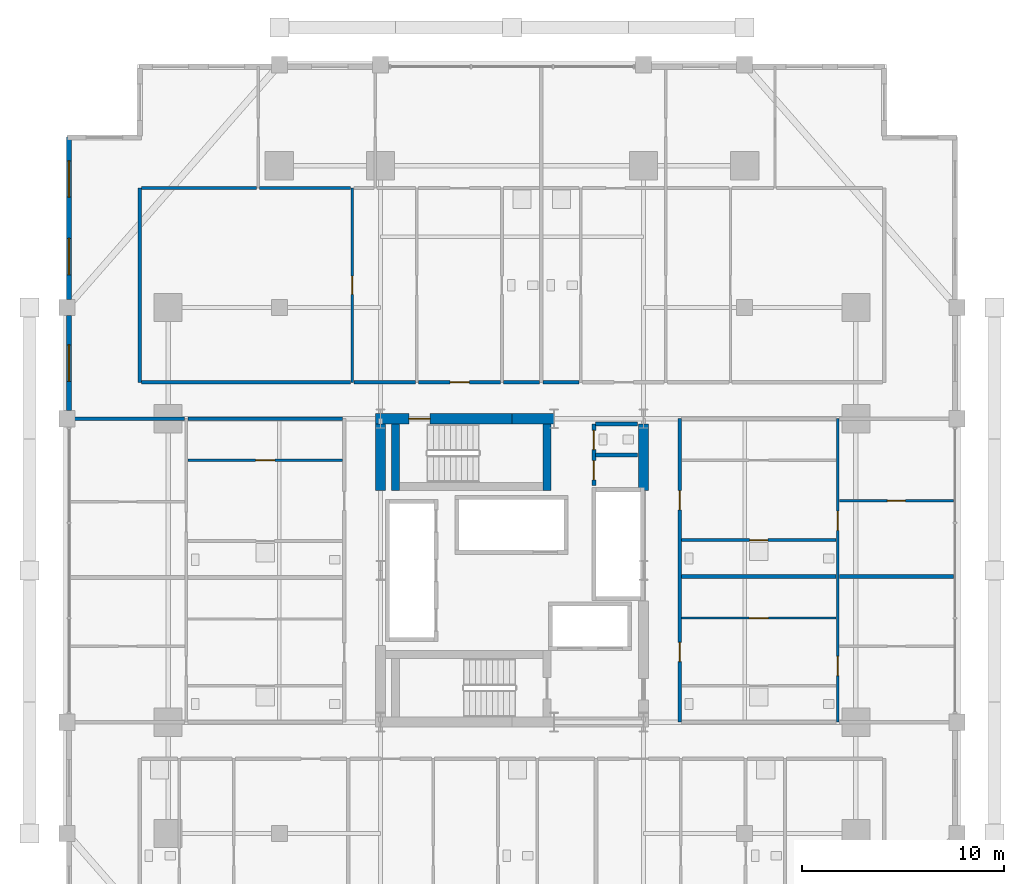
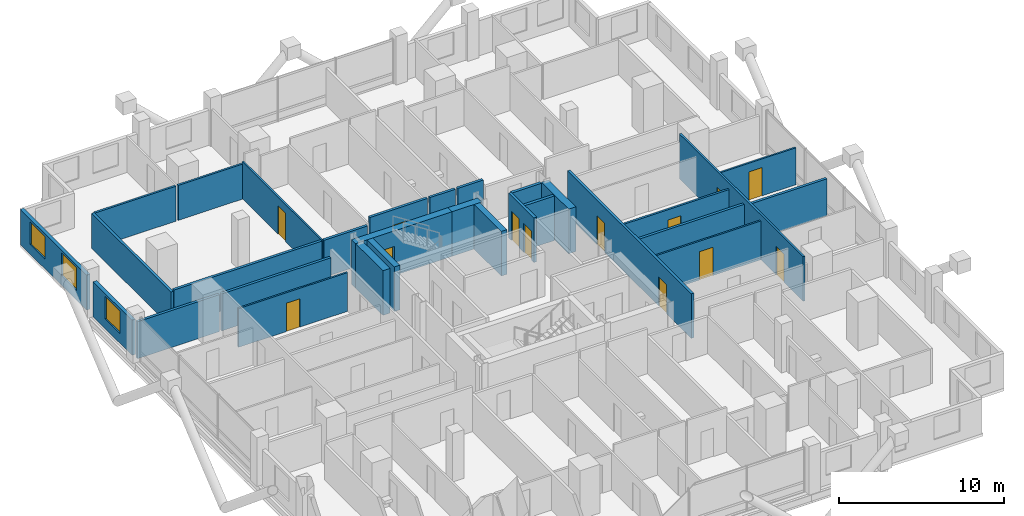
# One storey, part 20 of 24: 30 walls, 13 doors, 3 windows, 16 openings.
"""IFC4 building model written with IfcOpenShell, lengths in metres."""

from ifc_helpers import new_model, si_unit, direction, frame, frame_2d, origin, place, context, subcontext, project, spatial, rectangle, extrude, material, layer, layer_set, type_object, element, fill, save


model = new_model("IFC4")

# Units and contexts
model_context = context("Model", 3, precision=1e-05, world=origin(), true_north=direction((0.0, 1.0)))
body_context = subcontext(model_context, "Body", "Model", "MODEL_VIEW")
ifc_project = project(units=[si_unit("LENGTHUNIT", "METRE"), si_unit("AREAUNIT", "SQUARE_METRE"), si_unit("VOLUMEUNIT", "CUBIC_METRE"), si_unit("PLANEANGLEUNIT", "RADIAN"), si_unit("MASSUNIT", "GRAM", prefix="KILO")], contexts=[model_context])

# Site, building, storey
site_placement = place(None, origin())
site = spatial("IfcSite", under=ifc_project, at=site_placement, CompositionType="ELEMENT")
building_placement = place(site_placement, origin())
building = spatial("IfcBuilding", under=site, at=building_placement, Name="Barlavira Tower and Art Museum", CompositionType="ELEMENT")
storey_placement = place(building_placement, frame((0.0, 0.0, 90.0)))
storey = spatial("IfcBuildingStorey", under=building, at=storey_placement, Name="L22", CompositionType="ELEMENT", Elevation=90.0)

# Wall, opening, door
ifc_material_1 = material(Name="Gypsum acoustic stud partition", Category="gypsum")
ifc_layer_1 = layer(ifc_material_1, 0.1201171875, Name="Gypsum acoustic stud partition")
ifc_layer_set_1 = layer_set([ifc_layer_1], Name="Gypsum acoustic stud partition")
wall_type_1 = type_object("IfcWallType", Name="Apartment Internal Acoustic Partition 120", PredefinedType="PARTITIONING", material=ifc_layer_set_1)
wall_1_placement = place(storey_placement, frame((-7.89990234375, 9.300048828125, 0.0), z_axis=(0.0, 0.0, 1.0), x_axis=(0.0, 1.0, 0.0)))
wall_1 = element("IfcWall", 1, at=wall_1_placement, inside=storey, type_object=wall_type_1, Name="L22 Partition Wall 11", PredefinedType="PARTITIONING", context=body_context, shape_type="SweptSolid", body=[
    extrude(rectangle(XDim=9.599853515625, YDim=0.1201171875, at=frame_2d((4.7998046875, 0.0))), origin(), (0.0, 0.0, 1.0), 2.736083984375),
])
opening_1_placement = place(wall_1_placement, frame((4.35009765625, 0.0, 0.0)))
opening_1 = element("IfcOpeningElement", 2, at=opening_1_placement, cuts=wall_1, Name="Opening D-01", PredefinedType="OPENING", context=body_context, shape_type="SweptSolid", body=[
    extrude(rectangle(XDim=0.89990234375, YDim=2.10009765625, at=frame_2d((0.449951171875, 1.050048828125))), frame((0.0, 0.070068359375, 0.0), z_axis=(0.0, -1.0, 0.0), x_axis=(1.0, 0.0, 0.0)), (0.0, 0.0, 1.0), 0.14013671875),
])
ifc_material_2 = material(Name="Engineered coastal hardwood", Category="wood")
door_type_1 = type_object("IfcDoorType", Name="Internal Bedroom Timber Flush Door 900x2100", OperationType="NOTDEFINED", PredefinedType="DOOR", material=ifc_material_2)
door_1_placement = place(opening_1_placement, origin())
door_1 = element("IfcDoor", 3, at=door_1_placement, inside=storey, type_object=door_type_1, Name="Apartment N1 Walk-In Dressing Room Door", OperationType="SINGLE_SWING_LEFT", OverallHeight=2.10009765625, OverallWidth=0.89990234375, PredefinedType="DOOR", context=body_context, shape_type="SweptSolid", body=[
    extrude(rectangle(XDim=0.89990234375, YDim=2.10009765625, at=frame_2d((0.449951171875, 1.050048828125))), frame((0.0, 0.02490234375, 0.0), z_axis=(0.0, -1.0, 0.0), x_axis=(1.0, 0.0, 0.0)), (0.0, 0.0, 1.0), 0.050048828125),
])
fill(opening_1, door_1)

wall_2_placement = place(storey_placement, frame((8.3798828125, -2.35009765625, 0.0), z_axis=(0.0, 0.0, 1.0), x_axis=(1.0, 0.0, 0.0)))
wall_2 = element("IfcWall", 4, at=wall_2_placement, inside=storey, type_object=wall_type_1, Name="L22 Partition Wall 67", PredefinedType="PARTITIONING", context=body_context, shape_type="SweptSolid", body=[
    extrude(rectangle(XDim=7.64013671875, YDim=0.1201171875, at=frame_2d((3.820068359375, 0.0))), origin(), (0.0, 0.0, 1.0), 2.867919921875),
])
opening_2_placement = place(wall_2_placement, frame((3.344970703125, 0.0, 0.0)))
opening_2 = element("IfcOpeningElement", 5, at=opening_2_placement, cuts=wall_2, Name="Opening D-02", PredefinedType="OPENING", context=body_context, shape_type="SweptSolid", body=[
    extrude(rectangle(XDim=0.949951171875, YDim=2.10009765625, at=frame_2d((0.47509765625, 1.050048828125))), frame((0.0, 0.070068359375, 0.0), z_axis=(0.0, -1.0, 0.0), x_axis=(1.0, 0.0, 0.0)), (0.0, 0.0, 1.0), 0.14013671875),
])
door_type_2 = type_object("IfcDoorType", Name="Living and Salon Glazed-Leaf Door 950x2100", OperationType="NOTDEFINED", PredefinedType="DOOR", material=ifc_material_2)
door_2_placement = place(opening_2_placement, origin())
door_2 = element("IfcDoor", 6, at=door_2_placement, inside=storey, type_object=door_type_2, Name="Apartment E1 Kitchen Door", OperationType="SINGLE_SWING_RIGHT", OverallHeight=2.10009765625, OverallWidth=0.949951171875, PredefinedType="DOOR", context=body_context, shape_type="SweptSolid", body=[
    extrude(rectangle(XDim=0.949951171875, YDim=2.10009765625, at=frame_2d((0.47509765625, 1.050048828125))), frame((0.0, 0.02490234375, 0.0), z_axis=(0.0, -1.0, 0.0), x_axis=(1.0, 0.0, 0.0)), (0.0, 0.0, 1.0), 0.050048828125),
])
fill(opening_2, door_2)

wall_3_placement = place(storey_placement, frame((16.179931640625, 3.449951171875, 0.0), z_axis=(0.0, 0.0, 1.0), x_axis=(1.0, 0.0, 0.0)))
wall_3 = element("IfcWall", 7, at=wall_3_placement, inside=storey, type_object=wall_type_1, Name="L22 Partition Wall 75", PredefinedType="PARTITIONING", context=body_context, shape_type="SweptSolid", body=[
    extrude(rectangle(XDim=5.64013671875, YDim=0.1201171875, at=frame_2d((2.820068359375, 0.0))), origin(), (0.0, 0.0, 1.0), 2.736083984375),
])
opening_3_placement = place(wall_3_placement, frame((2.3701171875, 0.0, 0.0)))
opening_3 = element("IfcOpeningElement", 8, at=opening_3_placement, cuts=wall_3, Name="Opening D-01", PredefinedType="OPENING", context=body_context, shape_type="SweptSolid", body=[
    extrude(rectangle(XDim=0.89990234375, YDim=2.10009765625, at=frame_2d((0.449951171875, 1.050048828125))), frame((0.0, 0.070068359375, 0.0), z_axis=(0.0, -1.0, 0.0), x_axis=(1.0, 0.0, 0.0)), (0.0, 0.0, 1.0), 0.14013671875),
])
door_3_placement = place(opening_3_placement, origin())
door_3 = element("IfcDoor", 9, at=door_3_placement, inside=storey, type_object=door_type_1, Name="Apartment E2 Bedroom 1 Door", OperationType="SINGLE_SWING_LEFT", OverallHeight=2.10009765625, OverallWidth=0.89990234375, PredefinedType="DOOR", context=body_context, shape_type="SweptSolid", body=[
    extrude(rectangle(XDim=0.89990234375, YDim=2.10009765625, at=frame_2d((0.449951171875, 1.050048828125))), frame((0.0, 0.02490234375, 0.0), z_axis=(0.0, -1.0, 0.0), x_axis=(1.0, 0.0, 0.0)), (0.0, 0.0, 1.0), 0.050048828125),
])
fill(opening_3, door_3)

wall_4_placement = place(storey_placement, frame((-16.02001953125, 5.449951171875, 0.0), z_axis=(0.0, 0.0, 1.0), x_axis=(1.0, 0.0, 0.0)))
wall_4 = element("IfcWall", 10, at=wall_4_placement, inside=storey, type_object=wall_type_1, Name="L22 Partition Wall 76", PredefinedType="PARTITIONING", context=body_context, shape_type="SweptSolid", body=[
    extrude(rectangle(XDim=7.64013671875, YDim=0.1201171875, at=frame_2d((3.820068359375, 0.0))), origin(), (0.0, 0.0, 1.0), 2.867919921875),
])
opening_4_placement = place(wall_4_placement, frame((3.344970703125, 0.0, 0.0)))
opening_4 = element("IfcOpeningElement", 11, at=opening_4_placement, cuts=wall_4, Name="Opening D-02", PredefinedType="OPENING", context=body_context, shape_type="SweptSolid", body=[
    extrude(rectangle(XDim=0.949951171875, YDim=2.10009765625, at=frame_2d((0.47509765625, 1.050048828125))), frame((0.0, 0.070068359375, 0.0), z_axis=(0.0, -1.0, 0.0), x_axis=(1.0, 0.0, 0.0)), (0.0, 0.0, 1.0), 0.14013671875),
])
door_4_placement = place(opening_4_placement, origin())
door_4 = element("IfcDoor", 12, at=door_4_placement, inside=storey, type_object=door_type_2, Name="Apartment W2 Kitchen Door", OperationType="SINGLE_SWING_LEFT", OverallHeight=2.10009765625, OverallWidth=0.949951171875, PredefinedType="DOOR", context=body_context, shape_type="SweptSolid", body=[
    extrude(rectangle(XDim=0.949951171875, YDim=2.10009765625, at=frame_2d((0.47509765625, 1.050048828125))), frame((0.0, 0.02490234375, 0.0), z_axis=(0.0, -1.0, 0.0), x_axis=(1.0, 0.0, 0.0)), (0.0, 0.0, 1.0), 0.050048828125),
])
fill(opening_4, door_4)

ifc_material_3 = material(Name="Concrete C60", Category="concrete")
ifc_layer_2 = layer(ifc_material_3, 0.5, Name="Concrete C60")
ifc_layer_set_2 = layer_set([ifc_layer_2], Name="Concrete C60")
wall_type_2 = type_object("IfcWallType", Name="Core Structural Shear Wall 500 Concrete C60", PredefinedType="SHEAR", material=ifc_layer_set_2)
wall_5_placement = place(storey_placement, frame((-6.75, 7.5, 0.0), z_axis=(0.0, 0.0, 1.0), x_axis=(1.0, 0.0, 0.0)))
wall_5 = element("IfcWall", 13, at=wall_5_placement, inside=storey, type_object=wall_type_2, Name="L22 Core Shear Wall CS-NW", PredefinedType="SHEAR", context=body_context, shape_type="SweptSolid", body=[
    extrude(rectangle(XDim=6.75, YDim=0.5, at=frame_2d((3.375, 0.0))), origin(), (0.0, 0.0, 1.0), 3.300048828125),
])
opening_5_placement = place(wall_5_placement, frame((1.64990234375, 0.0, 0.0)))
opening_5 = element("IfcOpeningElement", 14, at=opening_5_placement, cuts=wall_5, Name="Opening FD-90", PredefinedType="OPENING", context=body_context, shape_type="SweptSolid", body=[
    extrude(rectangle(XDim=1.050048828125, YDim=2.14990234375, at=frame_2d((0.52490234375, 1.074951171875))), frame((0.0, 0.260009765625, 0.0), z_axis=(0.0, -1.0, 0.0), x_axis=(1.0, 0.0, 0.0)), (0.0, 0.0, 1.0), 0.52001953125),
])
ifc_material_4 = material(Name="Brushed stainless steel", Category="steel")
door_type_3 = type_object("IfcDoorType", Name="Stair and Refuge Fire Door 1050x2150 FD90S", OperationType="NOTDEFINED", PredefinedType="DOOR", material=ifc_material_4)
door_5_placement = place(opening_5_placement, origin())
door_5 = element("IfcDoor", 15, at=door_5_placement, inside=storey, type_object=door_type_3, Name="L22 Stair ST-T2 Fire Door", OperationType="SINGLE_SWING_LEFT", OverallHeight=2.14990234375, OverallWidth=1.050048828125, PredefinedType="DOOR", context=body_context, shape_type="SweptSolid", body=[
    extrude(rectangle(XDim=1.050048828125, YDim=2.14990234375, at=frame_2d((0.52490234375, 1.074951171875))), frame((0.0, 0.02490234375, 0.0), z_axis=(0.0, -1.0, 0.0), x_axis=(1.0, 0.0, 0.0)), (0.0, 0.0, 1.0), 0.050048828125),
])
fill(opening_5, door_5)

# Walls
wall_6_placement = place(storey_placement, frame((0.0, 7.5, 0.0), z_axis=(0.0, 0.0, 1.0), x_axis=(1.0, 0.0, 0.0)))
element("IfcWall", 16, at=wall_6_placement, inside=storey, type_object=wall_type_2, Name="L22 Core Shear Wall CS-EN", PredefinedType="SHEAR", context=body_context, shape_type="SweptSolid", body=[
    extrude(rectangle(XDim=2.080078125, YDim=0.5, at=frame_2d((1.0400390625, 0.0))), origin(), (0.0, 0.0, 1.0), 3.300048828125),
])
for number, where, z_axis, x_axis, name in (
    (17, (-6.5, 3.949951171875, 0.0), (0.0, 0.0, 1.0), (0.0, 1.0, 0.0), "L22 Core Shear Wall CS-W2"),
    (18, (6.5, 3.949951171875, 0.0), (0.0, 0.0, 1.0), (0.0, 1.0, 0.0), "L22 Core Shear Wall CS-E2"),
):
    element("IfcWall", number, at=place(storey_placement, frame(where, z_axis=z_axis, x_axis=x_axis)), inside=storey, type_object=wall_type_2, Name=name, PredefinedType="SHEAR", context=body_context, shape_type="SweptSolid", body=[
        extrude(rectangle(XDim=3.300048828125, YDim=0.5, at=frame_2d((1.64990234375, 0.0))), origin(), (0.0, 0.0, 1.0), 3.300048828125),
    ])

# Wall, openings, doors
ifc_material_5 = material(Name="Autoclaved aerated concrete masonry", Category="masonry")
ifc_layer_3 = layer(ifc_material_5, 0.199951171875, Name="Autoclaved aerated concrete masonry")
ifc_layer_set_3 = layer_set([ifc_layer_3], Name="Autoclaved aerated concrete masonry")
wall_type_3 = type_object("IfcWallType", Name="Fire Compartment and Shaft Wall 200", PredefinedType="SOLIDWALL", material=ifc_layer_set_3)
wall_7_placement = place(storey_placement, frame((4.050048828125, 4.199951171875, 0.0), z_axis=(0.0, 0.0, 1.0), x_axis=(0.0, 1.0, 0.0)))
wall_7 = element("IfcWall", 19, at=wall_7_placement, inside=storey, type_object=wall_type_3, Name="L22 Partition Wall 20", PredefinedType="SOLIDWALL", context=body_context, shape_type="SweptSolid", body=[
    extrude(rectangle(XDim=3.050048828125, YDim=0.199951171875, at=frame_2d((1.52490234375, 0.0))), origin(), (0.0, 0.0, 1.0), 3.300048828125),
])
opening_6_placement = place(wall_7_placement, frame((0.27490234375, 0.0, 0.0)))
opening_6 = element("IfcOpeningElement", 20, at=opening_6_placement, cuts=wall_7, Name="Opening FD-60", PredefinedType="OPENING", context=body_context, shape_type="SweptSolid", body=[
    extrude(rectangle(XDim=0.949951171875, YDim=2.14990234375, at=frame_2d((0.47509765625, 1.074951171875))), frame((0.0, 0.10986328125, 0.0), z_axis=(0.0, -1.0, 0.0), x_axis=(1.0, 0.0, 0.0)), (0.0, 0.0, 1.0), 0.219970703125),
])
opening_7_placement = place(wall_7_placement, frame((1.77490234375, 0.0, 0.0)))
opening_7 = element("IfcOpeningElement", 21, at=opening_7_placement, cuts=wall_7, Name="Opening FD-60", PredefinedType="OPENING", context=body_context, shape_type="SweptSolid", body=[
    extrude(rectangle(XDim=0.949951171875, YDim=2.14990234375, at=frame_2d((0.47509765625, 1.074951171875))), frame((0.0, 0.10986328125, 0.0), z_axis=(0.0, -1.0, 0.0), x_axis=(1.0, 0.0, 0.0)), (0.0, 0.0, 1.0), 0.219970703125),
])
door_type_4 = type_object("IfcDoorType", Name="Apartment Entrance and Riser Fire Door 950x2150 FD60S", OperationType="NOTDEFINED", PredefinedType="DOOR", material=ifc_material_4)
door_6_placement = place(opening_6_placement, origin())
door_6 = element("IfcDoor", 22, at=door_6_placement, inside=storey, type_object=door_type_4, Name="Electrical Switchgear Room Door", OperationType="SINGLE_SWING_RIGHT", OverallHeight=2.14990234375, OverallWidth=0.949951171875, PredefinedType="DOOR", context=body_context, shape_type="SweptSolid", body=[
    extrude(rectangle(XDim=0.949951171875, YDim=2.14990234375, at=frame_2d((0.47509765625, 1.074951171875))), frame((0.0, 0.02490234375, 0.0), z_axis=(0.0, -1.0, 0.0), x_axis=(1.0, 0.0, 0.0)), (0.0, 0.0, 1.0), 0.050048828125),
])
fill(opening_6, door_6)
door_7_placement = place(opening_7_placement, origin())
door_7 = element("IfcDoor", 23, at=door_7_placement, inside=storey, type_object=door_type_4, Name="Core Staff Toilet Door", OperationType="SINGLE_SWING_LEFT", OverallHeight=2.14990234375, OverallWidth=0.949951171875, PredefinedType="DOOR", context=body_context, shape_type="SweptSolid", body=[
    extrude(rectangle(XDim=0.949951171875, YDim=2.14990234375, at=frame_2d((0.47509765625, 1.074951171875))), frame((0.0, 0.02490234375, 0.0), z_axis=(0.0, -1.0, 0.0), x_axis=(1.0, 0.0, 0.0)), (0.0, 0.0, 1.0), 0.050048828125),
])
fill(opening_7, door_7)

# Walls
for number, where, z_axis, x_axis, name in (
    (24, (4.1298828125, 5.699951171875, 0.0), (0.0, 0.0, 1.0), (1.0, 0.0, 0.0), "L22 Partition Wall 78"),
    (25, (4.1298828125, 7.25, 0.0), (0.0, 0.0, 1.0), (1.0, 0.0, 0.0), "L22 Partition Wall 79"),
):
    element("IfcWall", number, at=place(storey_placement, frame(where, z_axis=z_axis, x_axis=x_axis)), inside=storey, type_object=wall_type_3, Name=name, PredefinedType="SOLIDWALL", context=body_context, shape_type="SweptSolid", body=[
        extrude(rectangle(XDim=2.070068359375, YDim=0.199951171875, at=frame_2d((1.03515625, 0.0))), origin(), (0.0, 0.0, 1.0), 3.300048828125),
    ])
ifc_layer_4 = layer(ifc_material_1, 0.179931640625, Name="Gypsum acoustic stud partition")
ifc_layer_set_4 = layer_set([ifc_layer_4], Name="Gypsum acoustic stud partition")
wall_type_4 = type_object("IfcWallType", Name="Inter-Tenancy Party Partition Wall 180", PredefinedType="PARTITIONING", material=ifc_layer_set_4)
wall_8_placement = place(storey_placement, frame((-18.39990234375, 9.300048828125, 0.0), z_axis=(0.0, 0.0, 1.0), x_axis=(0.0, 1.0, 0.0)))
element("IfcWall", 26, at=wall_8_placement, inside=storey, type_object=wall_type_4, Name="L22 Partition Wall 2", PredefinedType="PARTITIONING", context=body_context, shape_type="SweptSolid", body=[
    extrude(rectangle(XDim=9.599853515625, YDim=0.179931640625, at=frame_2d((4.7998046875, 0.0))), origin(), (0.0, 0.0, 1.0), 2.590087890625),
])

# Wall, openings, doors
wall_9_placement = place(storey_placement, frame((8.300048828125, -7.5, 0.0), z_axis=(0.0, 0.0, 1.0), x_axis=(0.0, 1.0, 0.0)))
wall_9 = element("IfcWall", 27, at=wall_9_placement, inside=storey, type_object=wall_type_4, Name="L22 Partition Wall 23", PredefinedType="PARTITIONING", context=body_context, shape_type="SweptSolid", body=[
    extrude(rectangle(XDim=15.0, YDim=0.179931640625, at=frame_2d((7.5, 0.0))), origin(), (0.0, 0.0, 1.0), 3.300048828125),
])
opening_8_placement = place(wall_9_placement, frame((2.9951171875, 0.0, 0.0)))
opening_8 = element("IfcOpeningElement", 28, at=opening_8_placement, cuts=wall_9, Name="Opening FD-60", PredefinedType="OPENING", context=body_context, shape_type="SweptSolid", body=[
    extrude(rectangle(XDim=0.949951171875, YDim=2.14990234375, at=frame_2d((0.47509765625, 1.074951171875))), frame((0.0, 0.10009765625, 0.0), z_axis=(0.0, -1.0, 0.0), x_axis=(1.0, 0.0, 0.0)), (0.0, 0.0, 1.0), 0.199951171875),
])
opening_9_placement = place(wall_9_placement, frame((10.4951171875, 0.0, 0.0)))
opening_9 = element("IfcOpeningElement", 29, at=opening_9_placement, cuts=wall_9, Name="Opening FD-60", PredefinedType="OPENING", context=body_context, shape_type="SweptSolid", body=[
    extrude(rectangle(XDim=0.949951171875, YDim=2.14990234375, at=frame_2d((0.47509765625, 1.074951171875))), frame((0.0, 0.10009765625, 0.0), z_axis=(0.0, -1.0, 0.0), x_axis=(1.0, 0.0, 0.0)), (0.0, 0.0, 1.0), 0.199951171875),
])
door_8_placement = place(opening_8_placement, origin())
door_8 = element("IfcDoor", 30, at=door_8_placement, inside=storey, type_object=door_type_4, Name="Apartment Entrance Hall E1 Door", OperationType="SINGLE_SWING_LEFT", OverallHeight=2.14990234375, OverallWidth=0.949951171875, PredefinedType="DOOR", context=body_context, shape_type="SweptSolid", body=[
    extrude(rectangle(XDim=0.949951171875, YDim=2.14990234375, at=frame_2d((0.47509765625, 1.074951171875))), frame((0.0, 0.02490234375, 0.0), z_axis=(0.0, -1.0, 0.0), x_axis=(1.0, 0.0, 0.0)), (0.0, 0.0, 1.0), 0.050048828125),
])
fill(opening_8, door_8)
door_9_placement = place(opening_9_placement, origin())
door_9 = element("IfcDoor", 31, at=door_9_placement, inside=storey, type_object=door_type_4, Name="Apartment Entrance Hall E2 Door", OperationType="SINGLE_SWING_RIGHT", OverallHeight=2.14990234375, OverallWidth=0.949951171875, PredefinedType="DOOR", context=body_context, shape_type="SweptSolid", body=[
    extrude(rectangle(XDim=0.949951171875, YDim=2.14990234375, at=frame_2d((0.47509765625, 1.074951171875))), frame((0.0, 0.02490234375, 0.0), z_axis=(0.0, -1.0, 0.0), x_axis=(1.0, 0.0, 0.0)), (0.0, 0.0, 1.0), 0.050048828125),
])
fill(opening_9, door_9)

# Walls
wall_10_placement = place(storey_placement, frame((8.3798828125, -0.300048828125, 0.0), z_axis=(0.0, 0.0, 1.0), x_axis=(1.0, 0.0, 0.0)))
element("IfcWall", 32, at=wall_10_placement, inside=storey, type_object=wall_type_4, Name="L22 Partition Wall 70", PredefinedType="PARTITIONING", context=body_context, shape_type="SweptSolid", body=[
    extrude(rectangle(XDim=7.64013671875, YDim=0.179931640625, at=frame_2d((3.820068359375, 0.0))), origin(), (0.0, 0.0, 1.0), 2.867919921875),
])
wall_11_placement = place(storey_placement, frame((16.179931640625, -0.300048828125, 0.0), z_axis=(0.0, 0.0, 1.0), x_axis=(1.0, 0.0, 0.0)))
element("IfcWall", 33, at=wall_11_placement, inside=storey, type_object=wall_type_4, Name="L22 Partition Wall 71", PredefinedType="PARTITIONING", context=body_context, shape_type="SweptSolid", body=[
    extrude(rectangle(XDim=5.64013671875, YDim=0.179931640625, at=frame_2d((2.820068359375, 0.0))), origin(), (0.0, 0.0, 1.0), 2.736083984375),
])
wall_12_placement = place(storey_placement, frame((-21.89990234375, 7.5, 0.0), z_axis=(0.0, 0.0, 1.0), x_axis=(1.0, 0.0, 0.0)))
element("IfcWall", 34, at=wall_12_placement, inside=storey, type_object=wall_type_4, Name="L22 Partition Wall 80", PredefinedType="PARTITIONING", context=body_context, shape_type="SweptSolid", body=[
    extrude(rectangle(XDim=5.719970703125, YDim=0.179931640625, at=frame_2d((2.85986328125, 0.0))), origin(), (0.0, 0.0, 1.0), 2.736083984375),
])
wall_13_placement = place(storey_placement, frame((-16.02001953125, 7.5, 0.0), z_axis=(0.0, 0.0, 1.0), x_axis=(1.0, 0.0, 0.0)))
element("IfcWall", 35, at=wall_13_placement, inside=storey, type_object=wall_type_4, Name="L22 Partition Wall 81", PredefinedType="PARTITIONING", context=body_context, shape_type="SweptSolid", body=[
    extrude(rectangle(XDim=7.64013671875, YDim=0.179931640625, at=frame_2d((3.820068359375, 0.0))), origin(), (0.0, 0.0, 1.0), 2.736083984375),
])
wall_14_placement = place(storey_placement, frame((-18.320068359375, 9.300048828125, 0.0), z_axis=(0.0, 0.0, 1.0), x_axis=(1.0, 0.0, 0.0)))
element("IfcWall", 36, at=wall_14_placement, inside=storey, type_object=wall_type_4, Name="L22 Partition Wall 84", PredefinedType="PARTITIONING", context=body_context, shape_type="SweptSolid", body=[
    extrude(rectangle(XDim=10.340087890625, YDim=0.179931640625, at=frame_2d((5.169921875, 0.0))), origin(), (0.0, 0.0, 1.0), 2.736083984375),
])
wall_15_placement = place(storey_placement, frame((-7.820068359375, 9.300048828125, 0.0), z_axis=(0.0, 0.0, 1.0), x_axis=(1.0, 0.0, 0.0)))
element("IfcWall", 37, at=wall_15_placement, inside=storey, type_object=wall_type_4, Name="L22 Partition Wall 85", PredefinedType="PARTITIONING", context=body_context, shape_type="SweptSolid", body=[
    extrude(rectangle(XDim=3.0400390625, YDim=0.179931640625, at=frame_2d((1.52001953125, 0.0))), origin(), (0.0, 0.0, 1.0), 2.736083984375),
])

# Wall, opening, door
wall_16_placement = place(storey_placement, frame((-4.6201171875, 9.300048828125, 0.0), z_axis=(0.0, 0.0, 1.0), x_axis=(1.0, 0.0, 0.0)))
wall_16 = element("IfcWall", 38, at=wall_16_placement, inside=storey, type_object=wall_type_4, Name="L22 Partition Wall 86", PredefinedType="PARTITIONING", context=body_context, shape_type="SweptSolid", body=[
    extrude(rectangle(XDim=4.0400390625, YDim=0.179931640625, at=frame_2d((2.02001953125, 0.0))), origin(), (0.0, 0.0, 1.0), 3.300048828125),
])
opening_10_placement = place(wall_16_placement, frame((1.56494140625, 0.0, 0.0)))
opening_10 = element("IfcOpeningElement", 39, at=opening_10_placement, cuts=wall_16, Name="Opening FD-60", PredefinedType="OPENING", context=body_context, shape_type="SweptSolid", body=[
    extrude(rectangle(XDim=0.949951171875, YDim=2.14990234375, at=frame_2d((0.47509765625, 1.074951171875))), frame((0.0, 0.10009765625, 0.0), z_axis=(0.0, -1.0, 0.0), x_axis=(1.0, 0.0, 0.0)), (0.0, 0.0, 1.0), 0.199951171875),
])
door_10_placement = place(opening_10_placement, origin())
door_10 = element("IfcDoor", 40, at=door_10_placement, inside=storey, type_object=door_type_4, Name="Apartment Entrance Hall N1 Door", OperationType="SINGLE_SWING_LEFT", OverallHeight=2.14990234375, OverallWidth=0.949951171875, PredefinedType="DOOR", context=body_context, shape_type="SweptSolid", body=[
    extrude(rectangle(XDim=0.949951171875, YDim=2.14990234375, at=frame_2d((0.47509765625, 1.074951171875))), frame((0.0, 0.02490234375, 0.0), z_axis=(0.0, -1.0, 0.0), x_axis=(1.0, 0.0, 0.0)), (0.0, 0.0, 1.0), 0.050048828125),
])
fill(opening_10, door_10)

# Walls
for number, where, z_axis, x_axis, name in (
    (41, (-0.419921875, 9.300048828125, 0.0), (0.0, 0.0, 1.0), (1.0, 0.0, 0.0), "L22 Partition Wall 87"),
    (42, (1.530029296875, 9.300048828125, 0.0), (0.0, 0.0, 1.0), (1.0, 0.0, 0.0), "L22 Partition Wall 88"),
):
    element("IfcWall", number, at=place(storey_placement, frame(where, z_axis=z_axis, x_axis=x_axis)), inside=storey, type_object=wall_type_4, Name=name, PredefinedType="PARTITIONING", context=body_context, shape_type="SweptSolid", body=[
        extrude(rectangle(XDim=1.7900390625, YDim=0.179931640625, at=frame_2d((0.89501953125, 0.0))), origin(), (0.0, 0.0, 1.0), 3.300048828125),
    ])

# Wall, openings, doors
ifc_layer_5 = layer(ifc_material_1, 0.139892578125, Name="Gypsum acoustic stud partition")
ifc_layer_set_5 = layer_set([ifc_layer_5], Name="Gypsum acoustic stud partition")
wall_type_5 = type_object("IfcWallType", Name="Moisture-Resistant Bathroom Partition 140", PredefinedType="PARTITIONING", material=ifc_layer_set_5)
wall_17_placement = place(storey_placement, frame((16.10009765625, -7.5, 0.0), z_axis=(0.0, 0.0, 1.0), x_axis=(0.0, 1.0, 0.0)))
wall_17 = element("IfcWall", 43, at=wall_17_placement, inside=storey, type_object=wall_type_5, Name="L22 Partition Wall 30", PredefinedType="PARTITIONING", context=body_context, shape_type="SweptSolid", body=[
    extrude(rectangle(XDim=15.0, YDim=0.139892578125, at=frame_2d((7.5, 0.0))), origin(), (0.0, 0.0, 1.0), 3.300048828125),
])
opening_11_placement = place(wall_17_placement, frame((2.304931640625, 0.0, 0.0)))
opening_11 = element("IfcOpeningElement", 44, at=opening_11_placement, cuts=wall_17, Name="Opening D-02", PredefinedType="OPENING", context=body_context, shape_type="SweptSolid", body=[
    extrude(rectangle(XDim=0.949951171875, YDim=2.10009765625, at=frame_2d((0.47509765625, 1.050048828125))), frame((0.0, 0.080078125, 0.0), z_axis=(0.0, -1.0, 0.0), x_axis=(1.0, 0.0, 0.0)), (0.0, 0.0, 1.0), 0.159912109375),
])
opening_12_placement = place(wall_17_placement, frame((9.485107421875, 0.0, 0.0)))
opening_12 = element("IfcOpeningElement", 45, at=opening_12_placement, cuts=wall_17, Name="Opening D-02", PredefinedType="OPENING", context=body_context, shape_type="SweptSolid", body=[
    extrude(rectangle(XDim=0.949951171875, YDim=2.10009765625, at=frame_2d((0.47509765625, 1.050048828125))), frame((0.0, 0.080078125, 0.0), z_axis=(0.0, -1.0, 0.0), x_axis=(1.0, 0.0, 0.0)), (0.0, 0.0, 1.0), 0.159912109375),
])
door_11_placement = place(opening_11_placement, origin())
door_11 = element("IfcDoor", 46, at=door_11_placement, inside=storey, type_object=door_type_2, Name="Apartment E1 Living Lounge Door", OperationType="SINGLE_SWING_LEFT", OverallHeight=2.10009765625, OverallWidth=0.949951171875, PredefinedType="DOOR", context=body_context, shape_type="SweptSolid", body=[
    extrude(rectangle(XDim=0.949951171875, YDim=2.10009765625, at=frame_2d((0.47509765625, 1.050048828125))), frame((0.0, 0.02490234375, 0.0), z_axis=(0.0, -1.0, 0.0), x_axis=(1.0, 0.0, 0.0)), (0.0, 0.0, 1.0), 0.050048828125),
])
fill(opening_11, door_11)
door_12_placement = place(opening_12_placement, origin())
door_12 = element("IfcDoor", 47, at=door_12_placement, inside=storey, type_object=door_type_2, Name="Apartment E2 Living Lounge Door", OperationType="SINGLE_SWING_RIGHT", OverallHeight=2.10009765625, OverallWidth=0.949951171875, PredefinedType="DOOR", context=body_context, shape_type="SweptSolid", body=[
    extrude(rectangle(XDim=0.949951171875, YDim=2.10009765625, at=frame_2d((0.47509765625, 1.050048828125))), frame((0.0, 0.02490234375, 0.0), z_axis=(0.0, -1.0, 0.0), x_axis=(1.0, 0.0, 0.0)), (0.0, 0.0, 1.0), 0.050048828125),
])
fill(opening_12, door_12)

# Wall, opening, door
wall_18_placement = place(storey_placement, frame((8.3798828125, 1.5, 0.0), z_axis=(0.0, 0.0, 1.0), x_axis=(1.0, 0.0, 0.0)))
wall_18 = element("IfcWall", 48, at=wall_18_placement, inside=storey, type_object=wall_type_5, Name="L22 Partition Wall 73", PredefinedType="PARTITIONING", context=body_context, shape_type="SweptSolid", body=[
    extrude(rectangle(XDim=7.64013671875, YDim=0.139892578125, at=frame_2d((3.820068359375, 0.0))), origin(), (0.0, 0.0, 1.0), 2.867919921875),
])
opening_13_placement = place(wall_18_placement, frame((3.3701171875, 0.0, 0.0)))
opening_13 = element("IfcOpeningElement", 49, at=opening_13_placement, cuts=wall_18, Name="Opening D-WC", PredefinedType="OPENING", context=body_context, shape_type="SweptSolid", body=[
    extrude(rectangle(XDim=0.89990234375, YDim=2.10009765625, at=frame_2d((0.449951171875, 1.050048828125))), frame((0.0, 0.080078125, 0.0), z_axis=(0.0, -1.0, 0.0), x_axis=(1.0, 0.0, 0.0)), (0.0, 0.0, 1.0), 0.159912109375),
])
door_type_5 = type_object("IfcDoorType", Name="Accessible Bathroom Flush Door 900x2100", OperationType="NOTDEFINED", PredefinedType="DOOR", material=ifc_material_2)
door_13_placement = place(opening_13_placement, origin())
door_13 = element("IfcDoor", 50, at=door_13_placement, inside=storey, type_object=door_type_5, Name="Apartment E2 Hall Bathroom Door", OperationType="SINGLE_SWING_LEFT", OverallHeight=2.10009765625, OverallWidth=0.89990234375, PredefinedType="DOOR", context=body_context, shape_type="SweptSolid", body=[
    extrude(rectangle(XDim=0.89990234375, YDim=2.10009765625, at=frame_2d((0.449951171875, 1.050048828125))), frame((0.0, 0.02490234375, 0.0), z_axis=(0.0, -1.0, 0.0), x_axis=(1.0, 0.0, 0.0)), (0.0, 0.0, 1.0), 0.050048828125),
])
fill(opening_13, door_13)

# Walls
wall_19_placement = place(storey_placement, frame((-18.320068359375, 18.89990234375, 0.0), z_axis=(0.0, 0.0, 1.0), x_axis=(1.0, 0.0, 0.0)))
element("IfcWall", 51, at=wall_19_placement, inside=storey, type_object=wall_type_5, Name="L22 Partition Wall 92", PredefinedType="PARTITIONING", context=body_context, shape_type="SweptSolid", body=[
    extrude(rectangle(XDim=5.690185546875, YDim=0.139892578125, at=frame_2d((2.84521484375, 0.0))), origin(), (0.0, 0.0, 1.0), 2.590087890625),
])
wall_20_placement = place(storey_placement, frame((-12.469970703125, 18.89990234375, 0.0), z_axis=(0.0, 0.0, 1.0), x_axis=(1.0, 0.0, 0.0)))
element("IfcWall", 52, at=wall_20_placement, inside=storey, type_object=wall_type_5, Name="L22 Partition Wall 93", PredefinedType="PARTITIONING", context=body_context, shape_type="SweptSolid", body=[
    extrude(rectangle(XDim=4.489990234375, YDim=0.139892578125, at=frame_2d((2.2451171875, 0.0))), origin(), (0.0, 0.0, 1.0), 2.590087890625),
])

# Wall, openings, windows
ifc_material_6 = material(Name="Precast concrete C40", Category="concrete")
ifc_layer_6 = layer(ifc_material_6, 0.25, Name="Precast concrete C40")
ifc_layer_set_6 = layer_set([ifc_layer_6], Name="Precast concrete C40")
wall_type_6 = type_object("IfcWallType", Name="Notched Corner Spandrel Wall 250 Precast Concrete C40", PredefinedType="SOLIDWALL", material=ifc_layer_set_6)
wall_21_placement = place(storey_placement, frame((-21.89990234375, 21.425048828125, 0.0), z_axis=(0.0, 0.0, 1.0), x_axis=(0.0, -1.0, 0.0)))
wall_21 = element("IfcWall", 53, at=wall_21_placement, inside=storey, type_object=wall_type_6, Name="L22 Coastal Facade Pier Wall CW1-L22-W-1", PredefinedType="SOLIDWALL", context=body_context, shape_type="SweptSolid", body=[
    extrude(rectangle(XDim=8.030029296875, YDim=0.25, at=frame_2d((4.01513671875, 0.0))), origin(), (0.0, 0.0, 1.0), 2.590087890625),
])
opening_14_placement = place(wall_21_placement, frame((1.176025390625, 0.0, 0.719970703125)))
opening_14 = element("IfcOpeningElement", 54, at=opening_14_placement, cuts=wall_21, Name="Opening WN-01", PredefinedType="OPENING", context=body_context, shape_type="SweptSolid", body=[
    extrude(rectangle(XDim=1.800048828125, YDim=1.679931640625, at=frame_2d((0.89990234375, 0.83984375))), frame((0.0, 0.135009765625, 0.0), z_axis=(0.0, -1.0, 0.0), x_axis=(1.0, 0.0, 0.0)), (0.0, 0.0, 1.0), 0.27001953125),
])
opening_15_placement = place(wall_21_placement, frame((5.009033203125, 0.0, 0.719970703125)))
opening_15 = element("IfcOpeningElement", 55, at=opening_15_placement, cuts=wall_21, Name="Opening WN-01", PredefinedType="OPENING", context=body_context, shape_type="SweptSolid", body=[
    extrude(rectangle(XDim=1.800048828125, YDim=1.679931640625, at=frame_2d((0.89990234375, 0.83984375))), frame((0.0, 0.135009765625, 0.0), z_axis=(0.0, -1.0, 0.0), x_axis=(1.0, 0.0, 0.0)), (0.0, 0.0, 1.0), 0.27001953125),
])
ifc_material_7 = material(Name="Low-iron coastal laminated glass", Category="glass")
window_type = type_object("IfcWindowType", Name="Recessed Notch Corner Punch Window 1800x1680", PartitioningType="SINGLE_PANEL", PredefinedType="WINDOW", material=ifc_material_7)
window_1_placement = place(opening_14_placement, origin())
window_1 = element("IfcWindow", 56, at=window_1_placement, inside=storey, type_object=window_type, Name="L22 Punched Facade Window EWP-CW1-L22-W-1-1", OverallHeight=1.679931640625, OverallWidth=1.800048828125, PartitioningType="SINGLE_PANEL", PredefinedType="WINDOW", context=body_context, shape_type="SweptSolid", body=[
    extrude(rectangle(XDim=1.800048828125, YDim=1.679931640625, at=frame_2d((0.89990234375, 0.83984375))), frame((0.0, 0.030029296875, 0.0), z_axis=(0.0, -1.0, 0.0), x_axis=(1.0, 0.0, 0.0)), (0.0, 0.0, 1.0), 0.06005859375),
])
fill(opening_14, window_1)
window_2_placement = place(opening_15_placement, origin())
window_2 = element("IfcWindow", 57, at=window_2_placement, inside=storey, type_object=window_type, Name="L22 Punched Facade Window EWP-CW1-L22-W-1-2", OverallHeight=1.679931640625, OverallWidth=1.800048828125, PartitioningType="SINGLE_PANEL", PredefinedType="WINDOW", context=body_context, shape_type="SweptSolid", body=[
    extrude(rectangle(XDim=1.800048828125, YDim=1.679931640625, at=frame_2d((0.89990234375, 0.83984375))), frame((0.0, 0.030029296875, 0.0), z_axis=(0.0, -1.0, 0.0), x_axis=(1.0, 0.0, 0.0)), (0.0, 0.0, 1.0), 0.06005859375),
])
fill(opening_15, window_2)

# Wall, opening, window
wall_22_placement = place(storey_placement, frame((-21.89990234375, 12.60498046875, 0.0), z_axis=(0.0, 0.0, 1.0), x_axis=(0.0, -1.0, 0.0)))
wall_22 = element("IfcWall", 58, at=wall_22_placement, inside=storey, type_object=wall_type_6, Name="L22 Coastal Facade Pier Wall CW1-L22-W-2", PredefinedType="SOLIDWALL", context=body_context, shape_type="SweptSolid", body=[
    extrude(rectangle(XDim=4.7099609375, YDim=0.25, at=frame_2d((2.35498046875, 0.0))), origin(), (0.0, 0.0, 1.0), 2.590087890625),
])
opening_16_placement = place(wall_22_placement, frame((1.455078125, 0.0, 0.719970703125)))
opening_16 = element("IfcOpeningElement", 59, at=opening_16_placement, cuts=wall_22, Name="Opening WN-01", PredefinedType="OPENING", context=body_context, shape_type="SweptSolid", body=[
    extrude(rectangle(XDim=1.800048828125, YDim=1.679931640625, at=frame_2d((0.89990234375, 0.83984375))), frame((0.0, 0.135009765625, 0.0), z_axis=(0.0, -1.0, 0.0), x_axis=(1.0, 0.0, 0.0)), (0.0, 0.0, 1.0), 0.27001953125),
])
window_3_placement = place(opening_16_placement, origin())
window_3 = element("IfcWindow", 60, at=window_3_placement, inside=storey, type_object=window_type, Name="L22 Punched Facade Window EWP-CW1-L22-W-2-1", OverallHeight=1.679931640625, OverallWidth=1.800048828125, PartitioningType="SINGLE_PANEL", PredefinedType="WINDOW", context=body_context, shape_type="SweptSolid", body=[
    extrude(rectangle(XDim=1.800048828125, YDim=1.679931640625, at=frame_2d((0.89990234375, 0.83984375))), frame((0.0, 0.030029296875, 0.0), z_axis=(0.0, -1.0, 0.0), x_axis=(1.0, 0.0, 0.0)), (0.0, 0.0, 1.0), 0.06005859375),
])
fill(opening_16, window_3)

# Walls
ifc_material_8 = material(Name="Concrete C55", Category="concrete")
ifc_layer_7 = layer(ifc_material_8, 0.39990234375, Name="Concrete C55")
ifc_layer_set_7 = layer_set([ifc_layer_7], Name="Concrete C55")
wall_type_7 = type_object("IfcWallType", Name="Upper Core Shear Wall 400 Concrete C55", PredefinedType="SHEAR", material=ifc_layer_set_7)
for number, where, z_axis, x_axis, name in (
    (61, (1.72998046875, 3.949951171875, 0.0), (0.0, 0.0, 1.0), (0.0, 1.0, 0.0), "L22 ST-T2 East Half-Landing Wall"),
    (62, (-5.75, 3.949951171875, 0.0), (0.0, 0.0, 1.0), (0.0, 1.0, 0.0), "L22 ST-T2 West Shaft Wall"),
):
    element("IfcWall", number, at=place(storey_placement, frame(where, z_axis=z_axis, x_axis=x_axis)), inside=storey, type_object=wall_type_7, Name=name, PredefinedType="SHEAR", context=body_context, shape_type="SweptSolid", body=[
        extrude(rectangle(XDim=3.300048828125, YDim=0.39990234375, at=frame_2d((1.64990234375, 0.0))), origin(), (0.0, 0.0, 1.0), 3.300048828125),
    ])

save(model, "model.ifc")
